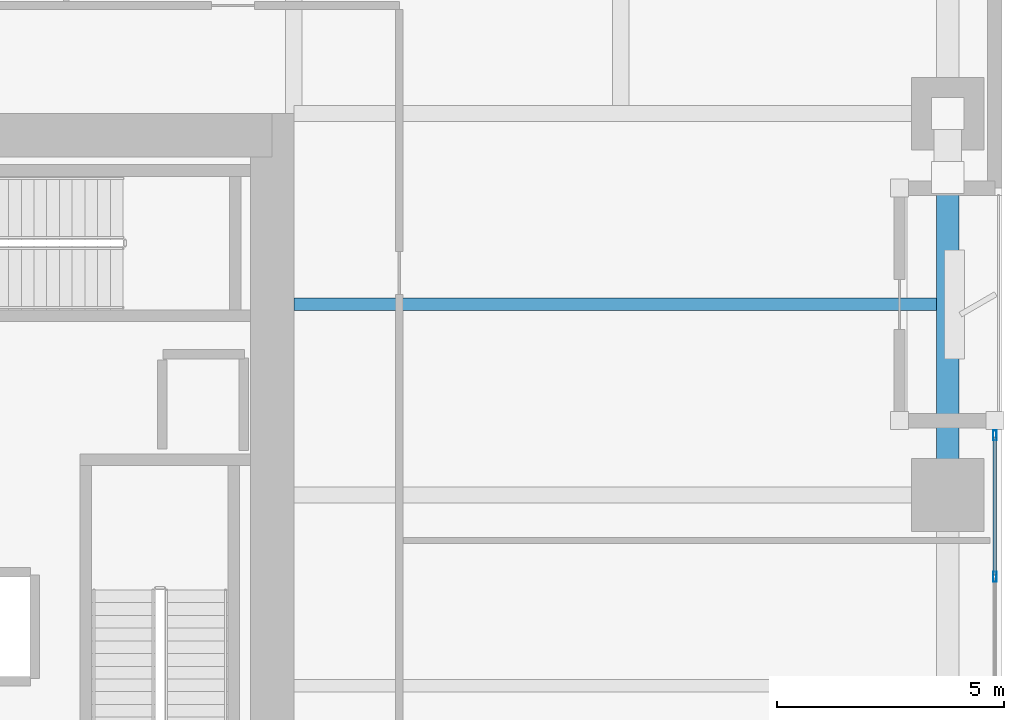
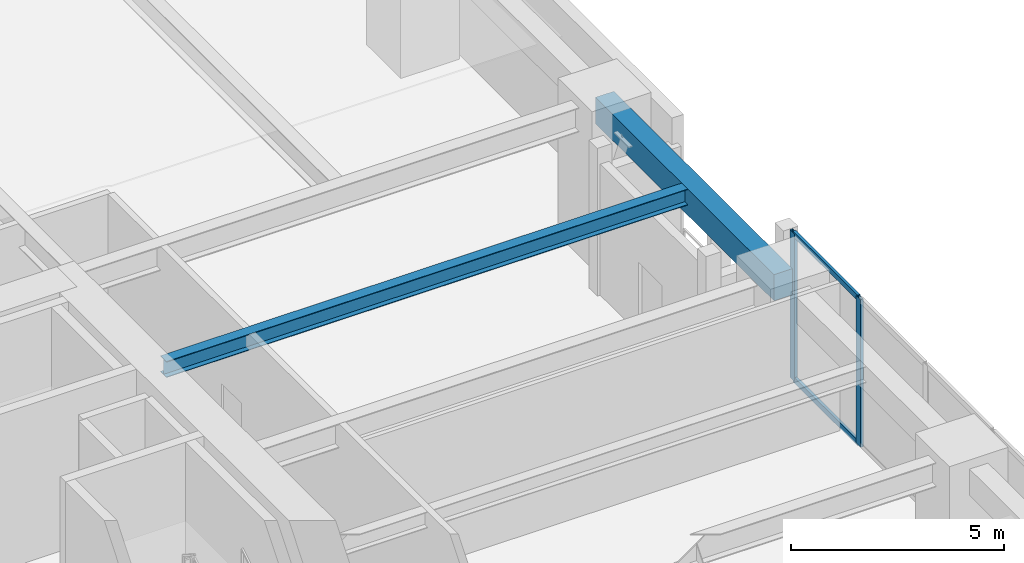
# One storey, part 10 of 25: 4 members, 2 beams, 1 element without a shape of its own.
"""IFC4 building model written with IfcOpenShell, lengths in metres."""

from ifc_helpers import new_model, si_unit, direction, frame, origin, origin_2d, place, context, subcontext, project, spatial, rectangle, hollow_rectangle, i_section, extrude, material, layer, layer_set, material_profile, profile_set, type_object, element, aggregate, save


model = new_model("IFC4")

# Units and contexts
model_context = context("Model", 3, precision=1e-05, world=origin(), true_north=direction((0.0, 1.0)))
body_context = subcontext(model_context, "Body", "Model", "MODEL_VIEW")
ifc_project = project(units=[si_unit("LENGTHUNIT", "METRE"), si_unit("AREAUNIT", "SQUARE_METRE"), si_unit("VOLUMEUNIT", "CUBIC_METRE"), si_unit("PLANEANGLEUNIT", "RADIAN"), si_unit("MASSUNIT", "GRAM", prefix="KILO")], contexts=[model_context])

# Site, building, storey
site_placement = place(None, origin())
site = spatial("IfcSite", under=ifc_project, at=site_placement, CompositionType="ELEMENT")
building_placement = place(site_placement, origin())
building = spatial("IfcBuilding", under=site, at=building_placement, Name="Kiyonajd Concourse Tower", CompositionType="ELEMENT")
storey_placement = place(building_placement, frame((0.0, 0.0, 68.39990234375)))
storey = spatial("IfcBuildingStorey", under=building, at=storey_placement, Name="L18", CompositionType="ELEMENT", Elevation=68.39990234375)

# Beams
ifc_material_1 = material(Name="Steel ASTM A992 Grade 50", Category="steel")
ifc_material_profile_1 = material_profile(ifc_material_1, i_section(OverallWidth=0.280029296875, OverallDepth=0.462890625, WebThickness=0.0107421875, FlangeThickness=0.017333984375, at=origin_2d()), Name="W460X113")
ifc_profile_set_1 = profile_set([ifc_material_profile_1], Name="Steel ASTM A992 Grade 50")
beam_type_1 = type_object("IfcBeamType", Name="BM-JST-460A", PredefinedType="JOIST", material=ifc_profile_set_1)
beam_1_placement = place(storey_placement, frame((63.60009765625, 40.199951171875, 4.008544921875), z_axis=(1.0, 0.0, 0.0), x_axis=(0.0, 1.0, 0.0)))
element("IfcBeam", 1, at=beam_1_placement, inside=storey, type_object=beam_type_1, Name="L18 East Secondary Floor Joist", PredefinedType="JOIST", context=body_context, shape_type="SweptSolid", body=[
    extrude(i_section(OverallWidth=0.280029296875, OverallDepth=0.462890625, WebThickness=0.0107421875, FlangeThickness=0.017333984375, at=origin_2d()), origin(), (0.0, 0.0, 1.0), 14.14990234375),
])
ifc_material_2 = material(Name="Precast concrete C50/60", Category="concrete")
ifc_material_profile_2 = material_profile(ifc_material_2, rectangle(XDim=0.5, YDim=0.75, at=origin_2d()), Name="RCBM-500x750")
ifc_profile_set_2 = profile_set([ifc_material_profile_2], Name="Precast concrete C50/60")
beam_type_2 = type_object("IfcBeamType", Name="BM-SPAN-RC", PredefinedType="SPANDREL", material=ifc_profile_set_2)
beam_2_placement = place(storey_placement, frame((78.0, 36.0, 3.864990234375), z_axis=(0.0, 1.0, 0.0), x_axis=(-1.0, 0.0, 0.0)))
element("IfcBeam", 2, at=beam_2_placement, inside=storey, type_object=beam_type_2, Name="L18 Perimeter Bundled Tube Spandrel", PredefinedType="SPANDREL", context=body_context, shape_type="SweptSolid", body=[
    extrude(rectangle(XDim=0.5, YDim=0.75, at=origin_2d()), origin(), (0.0, 0.0, 1.0), 8.39990234375),
])

# Curtain wall, members
ifc_material_3 = material(Name="Thermally Broken Anodised Aluminium", Category="aluminium")
ifc_layer = layer(ifc_material_3, 0.179931640625)
ifc_layer_set = layer_set([ifc_layer], Name="Thermally Broken Anodised Aluminium")
curtain_wall_type = type_object("IfcCurtainWallType", Name="CW-SYS-05", PredefinedType="NOTDEFINED", material=ifc_layer_set)
curtain_wall_placement = place(storey_placement, origin())
curtain_wall = element("IfcCurtainWall", 3, at=curtain_wall_placement, inside=storey, type_object=curtain_wall_type, Name="L18 Unitised Curtain Wall CW5", PredefinedType="NOTDEFINED")
ifc_material_profile_3 = material_profile(ifc_material_3, hollow_rectangle(XDim=0.074951171875, YDim=0.219970703125, WallThickness=0.0048828125, at=origin_2d()), Name="MULL-75x220")
ifc_profile_set_3 = profile_set([ifc_material_profile_3], Name="Thermally Broken Anodised Aluminium")
member_type_1 = type_object("IfcMemberType", Name="MB-CW-MULL2", PredefinedType="MULLION", material=ifc_profile_set_3)
member_1_placement = place(storey_placement, frame((79.0400390625, 37.3125, 0.0), z_axis=(0.0, 0.0, 1.0), x_axis=(1.0, 0.0, 0.0)))
member_1 = element("IfcMember", 4, at=member_1_placement, type_object=member_type_1, Name="CW5 mullion 1", PredefinedType="MULLION", context=body_context, shape_type="SweptSolid", body=[
    extrude(hollow_rectangle(XDim=0.074951171875, YDim=0.219970703125, WallThickness=0.0048828125, at=origin_2d()), origin(), (0.0, 0.0, 1.0), 4.239990234375),
])
member_2_placement = place(storey_placement, frame((79.0400390625, 34.20166015625, 0.0), z_axis=(0.0, 0.0, 1.0), x_axis=(1.0, 0.0, 0.0)))
member_2 = element("IfcMember", 5, at=member_2_placement, type_object=member_type_1, Name="CW5 mullion 2", PredefinedType="MULLION", context=body_context, shape_type="SweptSolid", body=[
    extrude(hollow_rectangle(XDim=0.074951171875, YDim=0.219970703125, WallThickness=0.0048828125, at=origin_2d()), origin(), (0.0, 0.0, 1.0), 4.239990234375),
])
ifc_material_profile_4 = material_profile(ifc_material_3, hollow_rectangle(XDim=0.074951171875, YDim=0.159912109375, WallThickness=0.0048828125, at=origin_2d()), Name="TRAN-75x160")
ifc_profile_set_4 = profile_set([ifc_material_profile_4], Name="Thermally Broken Anodised Aluminium")
member_type_2 = type_object("IfcMemberType", Name="MB-CW-TRAN2", PredefinedType="USERDEFINED", material=ifc_profile_set_4)
member_3_placement = place(storey_placement, frame((79.0400390625, 37.27490234375, 0.03759765625), z_axis=(0.0, -1.0, 0.0), x_axis=(1.0, 0.0, 0.0)))
member_3 = element("IfcMember", 6, at=member_3_placement, type_object=member_type_2, Name="CW5 transom 1.1", ObjectType="TRANSOM", PredefinedType="USERDEFINED", context=body_context, shape_type="SweptSolid", body=[
    extrude(hollow_rectangle(XDim=0.074951171875, YDim=0.159912109375, WallThickness=0.0048828125, at=origin_2d()), origin(), (0.0, 0.0, 1.0), 3.035888671875),
])
member_4_placement = place(storey_placement, frame((79.0400390625, 37.27490234375, 4.20263671875), z_axis=(0.0, -1.0, 0.0), x_axis=(1.0, 0.0, 0.0)))
member_4 = element("IfcMember", 7, at=member_4_placement, type_object=member_type_2, Name="CW5 transom 1.2", ObjectType="TRANSOM", PredefinedType="USERDEFINED", context=body_context, shape_type="SweptSolid", body=[
    extrude(hollow_rectangle(XDim=0.074951171875, YDim=0.159912109375, WallThickness=0.0048828125, at=origin_2d()), origin(), (0.0, 0.0, 1.0), 3.035888671875),
])
aggregate(curtain_wall, [member_1, member_2, member_3, member_4])

save(model, "model.ifc")
